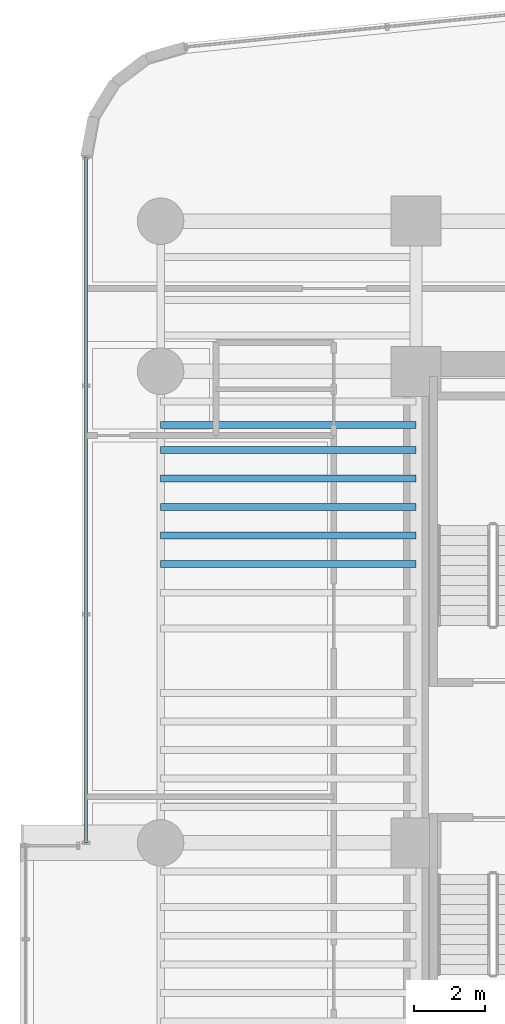
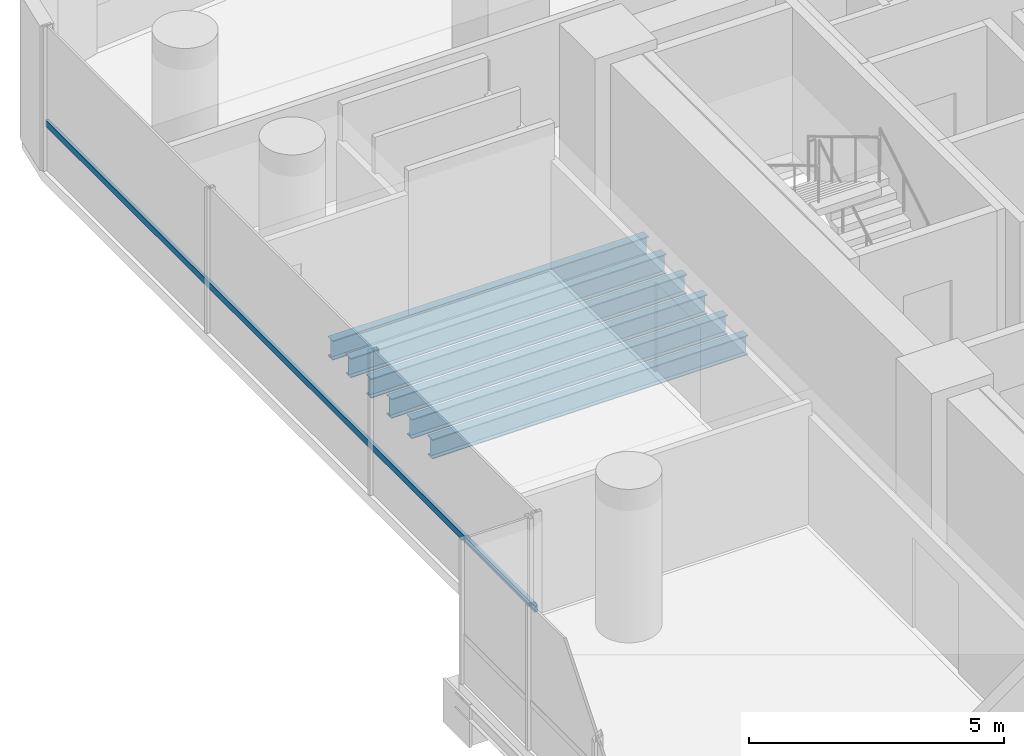
# One storey, part 9 of 40: 6 beams, 1 member, 1 element without a shape of its own.
"""IFC4 building model written with IfcOpenShell, lengths in metres."""

from ifc_helpers import new_model, si_unit, direction, frame, origin, origin_2d, place, context, subcontext, project, spatial, hollow_rectangle, i_section, extrude, source, transform, mapped, material, material_profile, profile_set, type_object, element, aggregate, save


model = new_model("IFC4")

# Units and contexts
model_context = context("Model", 3, precision=1e-05, world=origin(), true_north=direction((0.0, 1.0)))
body_context = subcontext(model_context, "Body", "Model", "MODEL_VIEW")
ifc_project = project(units=[si_unit("LENGTHUNIT", "METRE"), si_unit("AREAUNIT", "SQUARE_METRE"), si_unit("VOLUMEUNIT", "CUBIC_METRE"), si_unit("PLANEANGLEUNIT", "RADIAN"), si_unit("MASSUNIT", "GRAM", prefix="KILO")], contexts=[model_context])

# Site, building, storey
site_placement = place(None, origin())
site = spatial("IfcSite", under=ifc_project, at=site_placement, CompositionType="ELEMENT")
building_placement = place(site_placement, origin())
building = spatial("IfcBuilding", under=site, at=building_placement, Name="Valdorenza Pilgrim Sanctuary Tower", CompositionType="ELEMENT")
storey_placement = place(building_placement, frame((0.0, 0.0, 66.699951171875)))
storey = spatial("IfcBuildingStorey", under=building, at=storey_placement, Name="L16", CompositionType="ELEMENT", Elevation=66.699951171875)

# Beams
ifc_material_1 = material(Name="Steel ASTM A992 Grade 50", Category="steel")
ifc_material_profile_1 = material_profile(ifc_material_1, i_section(OverallWidth=0.193115234375, OverallDepth=0.466064453125, WebThickness=0.011474609375, FlangeThickness=0.01904296875, at=origin_2d()), Name="W18X65")
ifc_profile_set_1 = profile_set([ifc_material_profile_1], Name="Steel ASTM A992 Grade 50")
beam_type = type_object("IfcBeamType", Name="STR-BM-JST-W18A", PredefinedType="JOIST", material=ifc_profile_set_1)
shared_shape_1 = source(origin(), body_context, "Body", "SweptSolid", [
    extrude(i_section(OverallWidth=0.193115234375, OverallDepth=0.466064453125, WebThickness=0.011474609375, FlangeThickness=0.01904296875, at=origin_2d()), origin(), (0.0, 0.0, 1.0), 7.150146484375),
])
for number, where, z_axis, x_axis, name in (
    (1, (-29.800048828125, 5.199951171875, -0.472900390625), (1.0, 0.0, 0.0), (0.0, 1.0, 0.0), "L16 Composite Floor Joist JST-WA-17"),
    (2, (-29.800048828125, 6.0, -0.472900390625), (1.0, 0.0, 0.0), (0.0, 1.0, 0.0), "L16 Composite Floor Joist JST-WA-18"),
    (3, (-29.800048828125, 6.800048828125, -0.472900390625), (1.0, 0.0, 0.0), (0.0, 1.0, 0.0), "L16 Composite Floor Joist JST-WA-19"),
    (4, (-29.800048828125, 7.60009765625, -0.472900390625), (1.0, 0.0, 0.0), (0.0, 1.0, 0.0), "L16 Composite Floor Joist JST-WA-20"),
    (5, (-29.800048828125, 8.39990234375, -0.472900390625), (1.0, 0.0, 0.0), (0.0, 1.0, 0.0), "L16 Composite Floor Joist JST-WA-21"),
    (6, (-29.800048828125, 9.10009765625, -0.472900390625), (1.0, 0.0, 0.0), (0.0, 1.0, 0.0), "L16 Composite Floor Joist JST-WA-22"),
):
    element("IfcBeam", number, at=place(storey_placement, frame(where, z_axis=z_axis, x_axis=x_axis)), inside=storey, type_object=beam_type, Name=name, PredefinedType="JOIST", context=body_context, shape_type="MappedRepresentation", body=[
        mapped(shared_shape_1, transform((0.0, 0.0, 0.0), x_axis=(1.0, 0.0, 0.0), y_axis=(0.0, 1.0, 0.0), z_axis=(0.0, 0.0, 1.0), scale=1.0)),
    ])

# Curtain wall, member
ifc_material_2 = material(Name="Curtain-wall IGU glazing", Category="glass")
curtain_wall_type = type_object("IfcCurtainWallType", Name="CW-SYS-02", PredefinedType="NOTDEFINED", material=ifc_material_2)
curtain_wall_placement = place(storey_placement, origin())
curtain_wall = element("IfcCurtainWall", 7, at=curtain_wall_placement, inside=storey, type_object=curtain_wall_type, Name="L16 Curtain Wall CW-L16-1-1S2", PredefinedType="NOTDEFINED")
ifc_material_3 = material(Name="Anodised aluminium AW-6060", Category="aluminium")
ifc_material_profile_2 = material_profile(ifc_material_3, hollow_rectangle(XDim=0.074951171875, YDim=0.14990234375, WallThickness=0.00390625, at=origin_2d()), Name="ALU-T 150x75x4")
ifc_profile_set_2 = profile_set([ifc_material_profile_2], Name="Anodised aluminium AW-6060")
member_type = type_object("IfcMemberType", Name="CW-TRN-02", PredefinedType="USERDEFINED", material=ifc_profile_set_2)
shared_shape_2 = source(origin(), body_context, "Body", "SweptSolid", [
    extrude(hollow_rectangle(XDim=0.074951171875, YDim=0.14990234375, WallThickness=0.00390625, at=origin_2d()), origin(), (0.0, 0.0, 1.0), 19.194091796875),
])
member_placement = place(storey_placement, frame((-31.889892578125, -2.60009765625, 1.1201171875), z_axis=(0.0, 1.0, 0.0), x_axis=(-1.0, 0.0, 0.0)))
member = element("IfcMember", 8, at=member_placement, type_object=member_type, Name="CW-L16-1-1S2 Transom 1", ObjectType="TRANSOM", PredefinedType="USERDEFINED", context=body_context, shape_type="MappedRepresentation", body=[
    mapped(shared_shape_2, transform((0.0, 0.0, 0.0), x_axis=(1.0, 0.0, 0.0), y_axis=(0.0, 1.0, 0.0), z_axis=(0.0, 0.0, 1.0), scale=1.0)),
])
aggregate(curtain_wall, [member])

save(model, "model.ifc")
